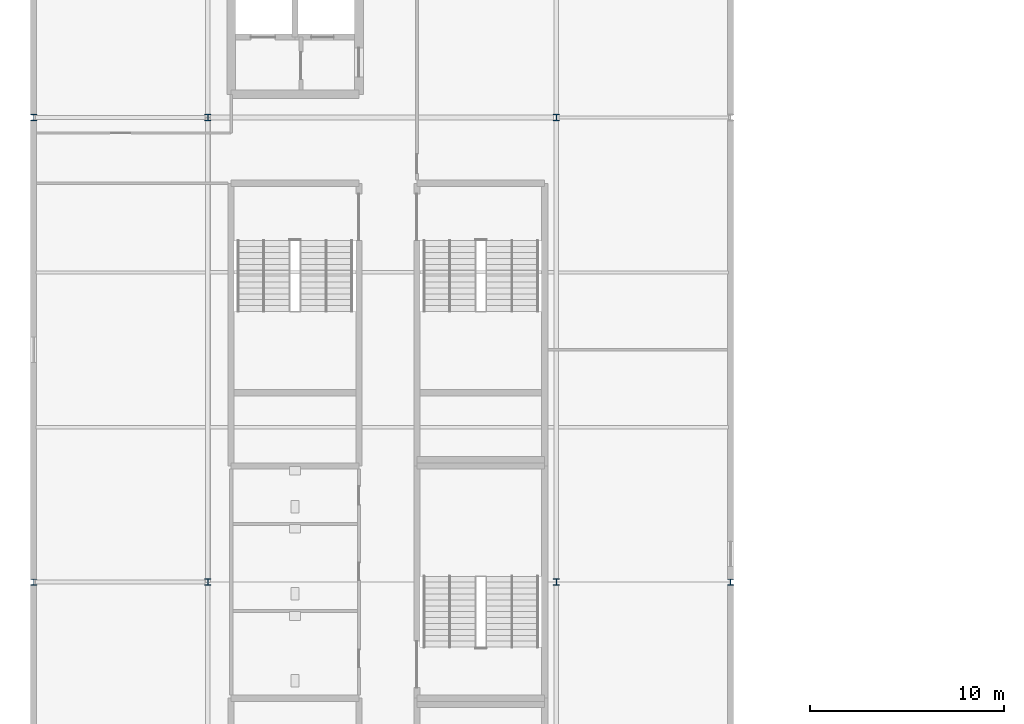
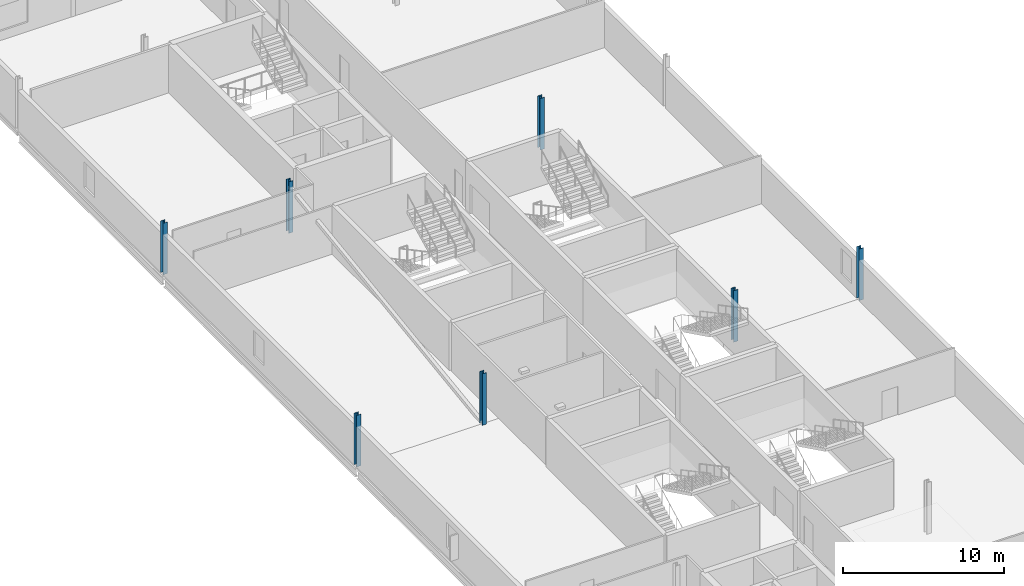
# One storey, part 2 of 27: 7 columns.
"""IFC4 building model written with IfcOpenShell, lengths in metres."""

from ifc_helpers import new_model, si_unit, direction, frame, origin, origin_2d, place, context, subcontext, project, spatial, i_section, extrude, material, material_profile, profile_set, type_object, element, save


model = new_model("IFC4")

# Units and contexts
model_context = context("Model", 3, precision=1e-05, world=origin(), true_north=direction((0.0, 1.0)))
body_context = subcontext(model_context, "Body", "Model", "MODEL_VIEW")
ifc_project = project(units=[si_unit("LENGTHUNIT", "METRE"), si_unit("AREAUNIT", "SQUARE_METRE"), si_unit("VOLUMEUNIT", "CUBIC_METRE"), si_unit("PLANEANGLEUNIT", "RADIAN"), si_unit("MASSUNIT", "GRAM", prefix="KILO")], contexts=[model_context])

# Site, building, storey
site_placement = place(None, origin())
site = spatial("IfcSite", under=ifc_project, at=site_placement, CompositionType="ELEMENT")
building_placement = place(site_placement, origin())
building = spatial("IfcBuilding", under=site, at=building_placement, Name="Kisiwana Market Hall", CompositionType="ELEMENT")
storey_placement = place(building_placement, frame((0.0, 0.0, 41.699951171875)))
storey = spatial("IfcBuildingStorey", under=building, at=storey_placement, Name="L09", CompositionType="ELEMENT", Elevation=41.699951171875)

# Columns
ifc_material_1 = material(Name="Steel S355", Category="steel")
ifc_material_profile_1 = material_profile(ifc_material_1, i_section(OverallWidth=0.30908203125, OverallDepth=0.320556640625, WebThickness=0.013916015625, FlangeThickness=0.021728515625, at=origin_2d()), Name="UC 305x305x137")
ifc_profile_set_1 = profile_set([ifc_material_profile_1], Name="Steel S355")
column_type_1 = type_object("IfcColumnType", Name="COL-STL-UC137", PredefinedType="COLUMN", material=ifc_profile_set_1)
for number, where, z_axis, x_axis, name in (
    (1, (0.0, 60.0, 0.0), (0.0, 0.0, 1.0), (1.0, 0.0, 0.0), "Column H/1 (L09) C-1213"),
    (2, (0.0, 84.0, 0.0), (0.0, 0.0, 1.0), (1.0, 0.0, 0.0), "Column L/1 (L09) C-1214"),
    (3, (36.0, 60.0, 0.0), (0.0, 0.0, 1.0), (1.0, 0.0, 0.0), "Column H/5 (L09) C-1207"),
):
    element("IfcColumn", number, at=place(storey_placement, frame(where, z_axis=z_axis, x_axis=x_axis)), inside=storey, type_object=column_type_1, Name=name, PredefinedType="COLUMN", context=body_context, shape_type="SweptSolid", body=[
        extrude(i_section(OverallWidth=0.30908203125, OverallDepth=0.320556640625, WebThickness=0.013916015625, FlangeThickness=0.021728515625, at=origin_2d()), origin(), (0.0, 0.0, 1.0), 3.900146484375),
    ])
ifc_material_2 = material(Name="Steel S355", Category="steel")
ifc_material_profile_2 = material_profile(ifc_material_2, i_section(OverallWidth=0.314453125, OverallDepth=0.33984375, WebThickness=0.01904296875, FlangeThickness=0.031494140625, at=origin_2d()), Name="UC 305x305x198")
ifc_profile_set_2 = profile_set([ifc_material_profile_2], Name="Steel S355")
column_type_2 = type_object("IfcColumnType", Name="COL-STL-UC198", PredefinedType="COLUMN", material=ifc_profile_set_2)
for number, where, z_axis, x_axis, name in (
    (4, (9.0, 84.0, 0.0), (0.0, 0.0, 1.0), (1.0, 0.0, 0.0), "Column L/2 (L09) C-1220"),
    (5, (27.0, 60.0, 0.0), (0.0, 0.0, 1.0), (1.0, 0.0, 0.0), "Column H/4 (L09) C-1226"),
    (6, (27.0, 84.0, 0.0), (0.0, 0.0, 1.0), (1.0, 0.0, 0.0), "Column L/4 (L09) C-1227"),
    (7, (9.0, 60.0, 0.0), (0.0, 0.0, 1.0), (1.0, 0.0, 0.0), "Column H/2 (L09) C-1206"),
):
    element("IfcColumn", number, at=place(storey_placement, frame(where, z_axis=z_axis, x_axis=x_axis)), inside=storey, type_object=column_type_2, Name=name, PredefinedType="COLUMN", context=body_context, shape_type="SweptSolid", body=[
        extrude(i_section(OverallWidth=0.314453125, OverallDepth=0.33984375, WebThickness=0.01904296875, FlangeThickness=0.031494140625, at=origin_2d()), origin(), (0.0, 0.0, 1.0), 3.900146484375),
    ])

save(model, "model.ifc")
